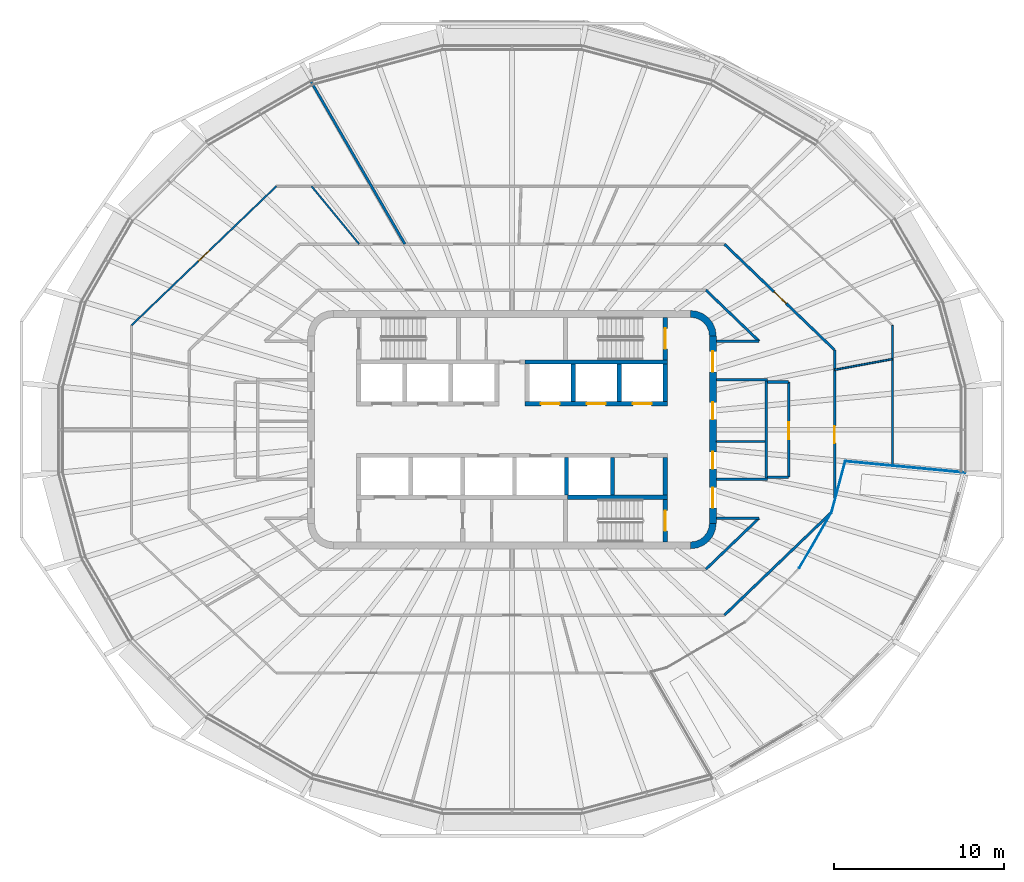
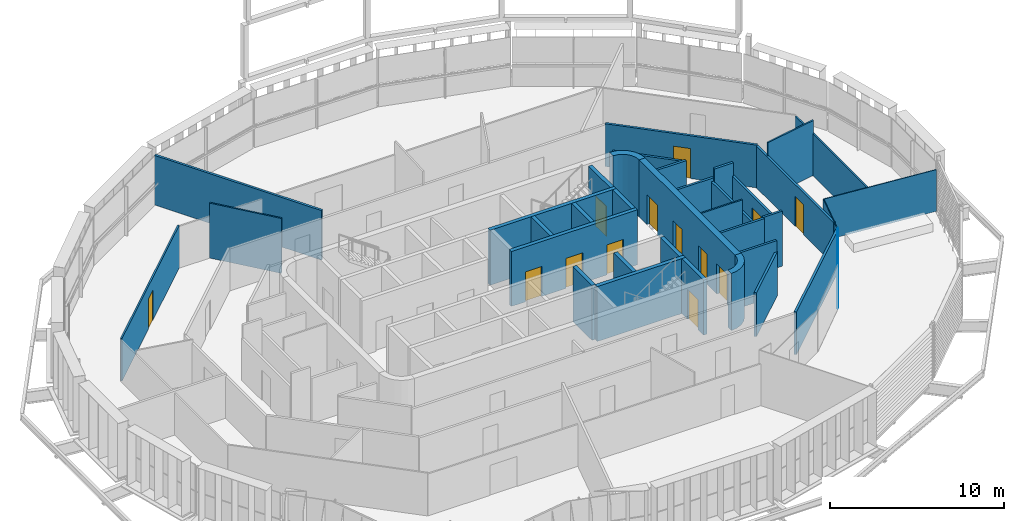
# One storey, part 12 of 21: 36 walls, 13 doors, 13 openings.
"""IFC4 building model written with IfcOpenShell, lengths in metres."""

from ifc_helpers import new_model, si_unit, direction, frame, frame_2d, origin, place, context, subcontext, project, spatial, polyline, rectangle, outline, extrude, material, layer, layer_set, type_object, element, fill, save


model = new_model("IFC4")

# Units and contexts
model_context = context("Model", 3, precision=1e-05, world=origin(), true_north=direction((0.0, 1.0)))
body_context = subcontext(model_context, "Body", "Model", "MODEL_VIEW")
ifc_project = project(units=[si_unit("LENGTHUNIT", "METRE"), si_unit("AREAUNIT", "SQUARE_METRE"), si_unit("VOLUMEUNIT", "CUBIC_METRE"), si_unit("PLANEANGLEUNIT", "RADIAN"), si_unit("MASSUNIT", "GRAM", prefix="KILO")], contexts=[model_context])

# Site, building, storey
site_placement = place(None, origin())
site = spatial("IfcSite", under=ifc_project, at=site_placement, CompositionType="ELEMENT")
building_placement = place(site_placement, origin())
building = spatial("IfcBuilding", under=site, at=building_placement, Name="Sahrelin Media Tower", CompositionType="ELEMENT")
storey_placement = place(building_placement, frame((0.0, 0.0, 304.39990234375)))
storey = spatial("IfcBuildingStorey", under=building, at=storey_placement, Name="L67", CompositionType="ELEMENT", Elevation=304.39990234375)

# Wall, openings, doors
ifc_material_1 = material(Name="Concrete C60/75", Category="concrete")
ifc_layer_1 = layer(ifc_material_1, 0.39990234375)
ifc_layer_set_1 = layer_set([ifc_layer_1], Name="Core wall 400")
wall_type_1 = type_object("IfcWallType", Name="Core wall 400", PredefinedType="SHEAR", material=ifc_layer_set_1)
wall_1_placement = place(storey_placement, frame((11.800048828125, -5.5, 0.0), z_axis=(0.0, 0.0, 1.0), x_axis=(0.0, 1.0, 0.0)))
wall_1 = element("IfcWall", 1, at=wall_1_placement, inside=storey, type_object=wall_type_1, Name="Core wall E L67", PredefinedType="SHEAR", context=body_context, shape_type="SweptSolid", body=[
    extrude(rectangle(XDim=11.0, YDim=0.39990234375, at=frame_2d((5.5, 0.0))), origin(), (0.0, 0.0, 1.0), 4.0),
])
opening_1_placement = place(wall_1_placement, frame((3.199951171875, 0.0, 0.0)))
opening_1 = element("IfcOpeningElement", 2, at=opening_1_placement, cuts=wall_1, Name="Opening L67-D12", PredefinedType="OPENING", context=body_context, shape_type="SweptSolid", body=[
    extrude(rectangle(XDim=1.0, YDim=2.10009765625, at=frame_2d((0.5, 1.050048828125))), frame((0.0, 0.199951171875, 0.0), z_axis=(0.0, -1.0, 0.0), x_axis=(1.0, 0.0, 0.0)), (0.0, 0.0, 1.0), 0.39990234375),
])
opening_2_placement = place(wall_1_placement, frame((6.10009765625, 0.0, 0.0)))
opening_2 = element("IfcOpeningElement", 3, at=opening_2_placement, cuts=wall_1, Name="Opening L67-D13", PredefinedType="OPENING", context=body_context, shape_type="SweptSolid", body=[
    extrude(rectangle(XDim=1.0, YDim=2.10009765625, at=frame_2d((0.5, 1.050048828125))), frame((0.0, 0.199951171875, 0.0), z_axis=(0.0, -1.0, 0.0), x_axis=(1.0, 0.0, 0.0)), (0.0, 0.0, 1.0), 0.39990234375),
])
opening_3_placement = place(wall_1_placement, frame((0.89990234375, 0.0, 0.0)))
opening_3 = element("IfcOpeningElement", 4, at=opening_3_placement, cuts=wall_1, Name="Opening L67-D16", PredefinedType="OPENING", context=body_context, shape_type="SweptSolid", body=[
    extrude(rectangle(XDim=1.199951171875, YDim=2.10009765625, at=frame_2d((0.60009765625, 1.050048828125))), frame((0.0, 0.199951171875, 0.0), z_axis=(0.0, -1.0, 0.0), x_axis=(1.0, 0.0, 0.0)), (0.0, 0.0, 1.0), 0.39990234375),
])
opening_4_placement = place(wall_1_placement, frame((8.89990234375, 0.0, 0.0)))
opening_4 = element("IfcOpeningElement", 5, at=opening_4_placement, cuts=wall_1, Name="Opening L67-D17", PredefinedType="OPENING", context=body_context, shape_type="SweptSolid", body=[
    extrude(rectangle(XDim=1.199951171875, YDim=2.10009765625, at=frame_2d((0.60009765625, 1.050048828125))), frame((0.0, 0.199951171875, 0.0), z_axis=(0.0, -1.0, 0.0), x_axis=(1.0, 0.0, 0.0)), (0.0, 0.0, 1.0), 0.39990234375),
])
ifc_material_2 = material(Name="Steel fire door leaf", Category="steel")
door_type_1 = type_object("IfcDoorType", Name="Fire door 1000 x 2100 EI 60", OperationType="NOTDEFINED", PredefinedType="DOOR", material=ifc_material_2)
door_1_placement = place(opening_1_placement, origin())
door_1 = element("IfcDoor", 6, at=door_1_placement, inside=storey, type_object=door_type_1, Name="Core room door", OperationType="SINGLE_SWING_RIGHT", OverallHeight=2.10009765625, OverallWidth=1.0, PredefinedType="DOOR", context=body_context, shape_type="SweptSolid", body=[
    extrude(rectangle(XDim=1.0, YDim=2.10009765625, at=frame_2d((0.5, 1.050048828125))), frame((0.0, 0.02490234375, 0.0), z_axis=(0.0, -1.0, 0.0), x_axis=(1.0, 0.0, 0.0)), (0.0, 0.0, 1.0), 0.050048828125),
])
fill(opening_1, door_1)
door_2_placement = place(opening_2_placement, origin())
door_2 = element("IfcDoor", 7, at=door_2_placement, inside=storey, type_object=door_type_1, Name="Core room door", OperationType="SINGLE_SWING_RIGHT", OverallHeight=2.10009765625, OverallWidth=1.0, PredefinedType="DOOR", context=body_context, shape_type="SweptSolid", body=[
    extrude(rectangle(XDim=1.0, YDim=2.10009765625, at=frame_2d((0.5, 1.050048828125))), frame((0.0, 0.02490234375, 0.0), z_axis=(0.0, -1.0, 0.0), x_axis=(1.0, 0.0, 0.0)), (0.0, 0.0, 1.0), 0.050048828125),
])
fill(opening_2, door_2)
door_type_2 = type_object("IfcDoorType", Name="Lobby door 1200 x 2100 EI 60", OperationType="NOTDEFINED", PredefinedType="DOOR", material=ifc_material_2)
door_3_placement = place(opening_3_placement, origin())
door_3 = element("IfcDoor", 8, at=door_3_placement, inside=storey, type_object=door_type_2, Name="Lobby door", OperationType="SINGLE_SWING_LEFT", OverallHeight=2.10009765625, OverallWidth=1.199951171875, PredefinedType="DOOR", context=body_context, shape_type="SweptSolid", body=[
    extrude(rectangle(XDim=1.199951171875, YDim=2.10009765625, at=frame_2d((0.60009765625, 1.050048828125))), frame((0.0, 0.02490234375, 0.0), z_axis=(0.0, -1.0, 0.0), x_axis=(1.0, 0.0, 0.0)), (0.0, 0.0, 1.0), 0.050048828125),
])
fill(opening_3, door_3)
door_4_placement = place(opening_4_placement, origin())
door_4 = element("IfcDoor", 9, at=door_4_placement, inside=storey, type_object=door_type_2, Name="Lobby door", OperationType="SINGLE_SWING_LEFT", OverallHeight=2.10009765625, OverallWidth=1.199951171875, PredefinedType="DOOR", context=body_context, shape_type="SweptSolid", body=[
    extrude(rectangle(XDim=1.199951171875, YDim=2.10009765625, at=frame_2d((0.60009765625, 1.050048828125))), frame((0.0, 0.02490234375, 0.0), z_axis=(0.0, -1.0, 0.0), x_axis=(1.0, 0.0, 0.0)), (0.0, 0.0, 1.0), 0.050048828125),
])
fill(opening_4, door_4)

# Walls
placement = place(storey_placement, origin())
element("IfcWall", 10, at=placement, inside=storey, type_object=wall_type_1, Name="Core wall corner NE L67", PredefinedType="SHEAR", context=body_context, shape_type="SweptSolid", body=[
    extrude(outline(polyline([(10.5, 7.0), (10.5, 6.596435546875), (10.78369140625, 6.55908203125), (11.04833984375, 6.44970703125), (11.275390625, 6.275390625), (11.44970703125, 6.04833984375), (11.55908203125, 5.78369140625), (11.596435546875, 5.5), (12.0, 5.5), (11.948974609375, 5.88818359375), (11.799072265625, 6.25), (11.560791015625, 6.560791015625), (11.25, 6.799072265625), (10.88818359375, 6.948974609375), (10.5, 7.0)])), origin(), (0.0, 0.0, 1.0), 4.0),
])
element("IfcWall", 11, at=placement, inside=storey, type_object=wall_type_1, Name="Core wall corner SE L67", PredefinedType="SHEAR", context=body_context, shape_type="SweptSolid", body=[
    extrude(outline(polyline([(12.0, -5.5), (11.596435546875, -5.5), (11.55908203125, -5.78369140625), (11.44970703125, -6.04833984375), (11.275390625, -6.275390625), (11.04833984375, -6.44970703125), (10.78369140625, -6.55908203125), (10.5, -6.596435546875), (10.5, -7.0), (10.88818359375, -6.948974609375), (11.25, -6.799072265625), (11.560791015625, -6.560791015625), (11.799072265625, -6.25), (11.948974609375, -5.88818359375), (12.0, -5.5)])), origin(), (0.0, 0.0, 1.0), 4.0),
])
ifc_material_3 = material(Name="Fire-rated gypsum board partition")
ifc_layer_2 = layer(ifc_material_3, 0.10009765625)
ifc_layer_set_2 = layer_set([ifc_layer_2], Name="Fire-rated partition 100")
wall_type_2 = type_object("IfcWallType", Name="Fire-rated partition 100", PredefinedType="PARTITIONING", material=ifc_layer_set_2)
wall_4_placement = place(storey_placement, frame((12.0, -0.699951171875, 0.0), z_axis=(0.0, 0.0, 1.0), x_axis=(1.0, 0.0, 0.0)))
element("IfcWall", 12, at=wall_4_placement, inside=storey, type_object=wall_type_2, Name="Core room partition", PredefinedType="PARTITIONING", context=body_context, shape_type="SweptSolid", body=[
    extrude(rectangle(XDim=2.85009765625, YDim=0.10009765625, at=frame_2d((1.425048828125, 0.0))), origin(), (0.0, 0.0, 1.0), 3.85009765625),
])
ifc_layer_3 = layer(ifc_material_3, 0.14990234375)
ifc_layer_set_3 = layer_set([ifc_layer_3], Name="Fire-rated partition 150")
wall_type_3 = type_object("IfcWallType", Name="Fire-rated partition 150", PredefinedType="PARTITIONING", material=ifc_layer_set_3)
wall_5_placement = place(storey_placement, frame((14.925048828125, -2.85009765625, 0.0), z_axis=(0.0, 0.0, 1.0), x_axis=(0.0, 1.0, 0.0)))
element("IfcWall", 13, at=wall_5_placement, inside=storey, type_object=wall_type_3, Name="Core room fire partition", PredefinedType="PARTITIONING", context=body_context, shape_type="SweptSolid", body=[
    extrude(rectangle(XDim=5.7001953125, YDim=0.14990234375, at=frame_2d((2.85009765625, 0.0))), origin(), (0.0, 0.0, 1.0), 2.927001953125),
])
wall_6_placement = place(storey_placement, frame((12.0, 2.925048828125, 0.0), z_axis=(0.0, 0.0, 1.0), x_axis=(1.0, 0.0, 0.0)))
element("IfcWall", 14, at=wall_6_placement, inside=storey, type_object=wall_type_3, Name="Core room fire partition", PredefinedType="PARTITIONING", context=body_context, shape_type="SweptSolid", body=[
    extrude(rectangle(XDim=3.0, YDim=0.14990234375, at=frame_2d((1.5, 0.0))), origin(), (0.0, 0.0, 1.0), 3.152099609375),
])
wall_7_placement = place(storey_placement, frame((12.0, -2.925048828125, 0.0), z_axis=(0.0, 0.0, 1.0), x_axis=(1.0, 0.0, 0.0)))
element("IfcWall", 15, at=wall_7_placement, inside=storey, type_object=wall_type_3, Name="Core room fire partition", PredefinedType="PARTITIONING", context=body_context, shape_type="SweptSolid", body=[
    extrude(rectangle(XDim=3.0, YDim=0.14990234375, at=frame_2d((1.5, 0.0))), origin(), (0.0, 0.0, 1.0), 3.85009765625),
])
wall_8_placement = place(storey_placement, frame((-11.823974609375, 20.47998046875, 0.0), z_axis=(0.0, 0.0, 1.0), x_axis=(0.500024263458, -0.866011394817, 0.0)))
element("IfcWall", 16, at=wall_8_placement, inside=storey, type_object=wall_type_3, Name="Wall", PredefinedType="PARTITIONING", context=body_context, shape_type="SweptSolid", body=[
    extrude(rectangle(XDim=11.0634765625, YDim=0.14990234375, at=frame_2d((5.53173828125, 0.0))), origin(), (0.0, 0.0, 1.0), 3.47509765625),
])
wall_9_placement = place(storey_placement, frame((11.39111328125, 8.198974609375, 0.0), z_axis=(0.0, 0.0, 1.0), x_axis=(0.721256597366, -0.692667972954, 0.0)))
element("IfcWall", 17, at=wall_9_placement, inside=storey, type_object=wall_type_3, Name="Wall", PredefinedType="PARTITIONING", context=body_context, shape_type="SweptSolid", body=[
    extrude(rectangle(XDim=4.32958984375, YDim=0.14990234375, at=frame_2d((2.164794921875, 0.0))), origin(), (0.0, 0.0, 1.0), 3.076171875),
])

# Wall, opening, door
wall_10_placement = place(storey_placement, frame((12.47802734375, 10.89892578125, 0.0), z_axis=(0.0, 0.0, 1.0), x_axis=(0.72127259513, -0.692651314526, 0.0)))
wall_10 = element("IfcWall", 18, at=wall_10_placement, inside=storey, type_object=wall_type_3, Name="Wall", PredefinedType="PARTITIONING", context=body_context, shape_type="SweptSolid", body=[
    extrude(rectangle(XDim=8.9736328125, YDim=0.14990234375, at=frame_2d((4.48681640625, 0.0))), origin(), (0.0, 0.0, 1.0), 2.995361328125),
])
opening_5_placement = place(wall_10_placement, frame((4.036376953125, 0.0, 0.0)))
opening_5 = element("IfcOpeningElement", 19, at=opening_5_placement, cuts=wall_10, Name="Opening L67-D39", PredefinedType="OPENING", context=body_context, shape_type="SweptSolid", body=[
    extrude(rectangle(XDim=1.0, YDim=2.10009765625, at=frame_2d((0.5, 1.050048828125))), frame((0.0, 0.074951171875, 0.0), z_axis=(0.0, -1.0, 0.0), x_axis=(1.0, 0.0, 0.0)), (0.0, 0.0, 1.0), 0.14990234375),
])
door_5_placement = place(opening_5_placement, origin())
door_5 = element("IfcDoor", 20, at=door_5_placement, inside=storey, type_object=door_type_1, Name="Fire door", OperationType="SINGLE_SWING_RIGHT", OverallHeight=2.10009765625, OverallWidth=1.0, PredefinedType="DOOR", context=body_context, shape_type="SweptSolid", body=[
    extrude(rectangle(XDim=1.0, YDim=2.10009765625, at=frame_2d((0.5, 1.050048828125))), frame((0.0, 0.02490234375, 0.0), z_axis=(0.0, -1.0, 0.0), x_axis=(1.0, 0.0, 0.0)), (0.0, 0.0, 1.0), 0.050048828125),
])
fill(opening_5, door_5)

# Walls
wall_11_placement = place(storey_placement, frame((12.0, -5.199951171875, 0.0), z_axis=(0.0, 0.0, 1.0), x_axis=(1.0, 0.0, 0.0)))
element("IfcWall", 21, at=wall_11_placement, inside=storey, type_object=wall_type_3, Name="Wall", PredefinedType="PARTITIONING", context=body_context, shape_type="SweptSolid", body=[
    extrude(rectangle(XDim=2.513916015625, YDim=0.14990234375, at=frame_2d((1.2568359375, 0.0))), origin(), (0.0, 0.0, 1.0), 3.85009765625),
])
for number, where, z_axis, x_axis, name in (
    (22, (15.0, -2.800048828125, 0.0), (0.0, 0.0, 1.0), (1.0, 0.0, 0.0), "Wall"),
    (23, (15.0, 2.800048828125, 0.0), (0.0, 0.0, 1.0), (1.0, 0.0, 0.0), "Wall"),
):
    element("IfcWall", number, at=place(storey_placement, frame(where, z_axis=z_axis, x_axis=x_axis)), inside=storey, type_object=wall_type_3, Name=name, PredefinedType="PARTITIONING", context=body_context, shape_type="SweptSolid", body=[
        extrude(rectangle(XDim=1.25, YDim=0.14990234375, at=frame_2d((0.625, 0.0))), origin(), (0.0, 0.0, 1.0), 3.85009765625),
    ])
wall_12_placement = place(storey_placement, frame((12.0, 5.199951171875, 0.0), z_axis=(0.0, 0.0, 1.0), x_axis=(1.0, 0.0, 0.0)))
element("IfcWall", 24, at=wall_12_placement, inside=storey, type_object=wall_type_3, Name="Wall", PredefinedType="PARTITIONING", context=body_context, shape_type="SweptSolid", body=[
    extrude(rectangle(XDim=2.513916015625, YDim=0.14990234375, at=frame_2d((1.2568359375, 0.0))), origin(), (0.0, 0.0, 1.0), 3.152099609375),
])
wall_13_placement = place(storey_placement, frame((12.47802734375, -10.89892578125, 0.0), z_axis=(0.0, 0.0, 1.0), x_axis=(0.721258165391, 0.692666340208, 0.0)))
element("IfcWall", 25, at=wall_13_placement, inside=storey, type_object=wall_type_3, Name="Wall", PredefinedType="PARTITIONING", context=body_context, shape_type="SweptSolid", body=[
    extrude(rectangle(XDim=8.7265625, YDim=0.14990234375, at=frame_2d((4.36328125, 0.0))), origin(), (0.0, 0.0, 1.0), 2.995361328125),
])
wall_14_placement = place(storey_placement, frame((11.39111328125, -8.198974609375, 0.0), z_axis=(0.0, 0.0, 1.0), x_axis=(0.721256597366, 0.692667972954, 0.0)))
element("IfcWall", 26, at=wall_14_placement, inside=storey, type_object=wall_type_3, Name="Wall", PredefinedType="PARTITIONING", context=body_context, shape_type="SweptSolid", body=[
    extrude(rectangle(XDim=4.32958984375, YDim=0.14990234375, at=frame_2d((2.164794921875, 0.0))), origin(), (0.0, 0.0, 1.0), 3.076171875),
])

# Wall, opening, door
wall_15_placement = place(storey_placement, frame((18.949951171875, -4.195068359375, 0.0), z_axis=(0.0, 0.0, 1.0), x_axis=(0.0, 1.0, 0.0)))
wall_15 = element("IfcWall", 27, at=wall_15_placement, inside=storey, type_object=wall_type_3, Name="Wall", PredefinedType="PARTITIONING", context=body_context, shape_type="SweptSolid", body=[
    extrude(rectangle(XDim=8.878173828125, YDim=0.14990234375, at=frame_2d((4.43896484375, 0.0))), origin(), (0.0, 0.0, 1.0), 2.927001953125),
])
opening_6_placement = place(wall_15_placement, frame((3.405517578125, 0.0, 0.0)))
opening_6 = element("IfcOpeningElement", 28, at=opening_6_placement, cuts=wall_15, Name="Opening L67-D38", PredefinedType="OPENING", context=body_context, shape_type="SweptSolid", body=[
    extrude(rectangle(XDim=1.0, YDim=2.10009765625, at=frame_2d((0.5, 1.050048828125))), frame((0.0, 0.074951171875, 0.0), z_axis=(0.0, -1.0, 0.0), x_axis=(1.0, 0.0, 0.0)), (0.0, 0.0, 1.0), 0.14990234375),
])
door_6_placement = place(opening_6_placement, origin())
door_6 = element("IfcDoor", 29, at=door_6_placement, inside=storey, type_object=door_type_1, Name="Fire door", OperationType="SINGLE_SWING_LEFT", OverallHeight=2.10009765625, OverallWidth=1.0, PredefinedType="DOOR", context=body_context, shape_type="SweptSolid", body=[
    extrude(rectangle(XDim=1.0, YDim=2.10009765625, at=frame_2d((0.5, 1.050048828125))), frame((0.0, 0.02490234375, 0.0), z_axis=(0.0, -1.0, 0.0), x_axis=(1.0, 0.0, 0.0)), (0.0, 0.0, 1.0), 0.050048828125),
])
fill(opening_6, door_6)

wall_16_placement = place(storey_placement, frame((16.25, -2.7900390625, 0.0), z_axis=(0.0, 0.0, 1.0), x_axis=(0.0, 1.0, 0.0)))
wall_16 = element("IfcWall", 30, at=wall_16_placement, inside=storey, type_object=wall_type_3, Name="Wall", PredefinedType="PARTITIONING", context=body_context, shape_type="SweptSolid", body=[
    extrude(rectangle(XDim=5.580078125, YDim=0.14990234375, at=frame_2d((2.7900390625, 0.0))), origin(), (0.0, 0.0, 1.0), 2.927001953125),
])
opening_7_placement = place(wall_16_placement, frame((2.23876953125, 0.0, 0.0)))
opening_7 = element("IfcOpeningElement", 31, at=opening_7_placement, cuts=wall_16, Name="Opening L67-D20", PredefinedType="OPENING", context=body_context, shape_type="SweptSolid", body=[
    extrude(rectangle(XDim=1.0, YDim=2.10009765625, at=frame_2d((0.5, 1.050048828125))), frame((0.0, 0.074951171875, 0.0), z_axis=(0.0, -1.0, 0.0), x_axis=(1.0, 0.0, 0.0)), (0.0, 0.0, 1.0), 0.14990234375),
])
door_7_placement = place(opening_7_placement, origin())
door_7 = element("IfcDoor", 32, at=door_7_placement, inside=storey, type_object=door_type_1, Name="Fire door", OperationType="SINGLE_SWING_RIGHT", OverallHeight=2.10009765625, OverallWidth=1.0, PredefinedType="DOOR", context=body_context, shape_type="SweptSolid", body=[
    extrude(rectangle(XDim=1.0, YDim=2.10009765625, at=frame_2d((0.5, 1.050048828125))), frame((0.0, 0.02490234375, 0.0), z_axis=(0.0, -1.0, 0.0), x_axis=(1.0, 0.0, 0.0)), (0.0, 0.0, 1.0), 0.050048828125),
])
fill(opening_7, door_7)

# Walls
ifc_material_4 = material(Name="Clear glass", Category="glass")
ifc_layer_4 = layer(ifc_material_4, 0.050048828125)
ifc_layer_set_4 = layer_set([ifc_layer_4], Name="Glazed partition 50")
wall_type_4 = type_object("IfcWallType", Name="Glazed partition 50", PredefinedType="PARTITIONING", material=ifc_layer_set_4)
wall_17_placement = place(storey_placement, frame((19.575927734375, -1.85693359375, 0.0), z_axis=(0.0, 0.0, 1.0), x_axis=(0.995535104036, -0.09439203691, 0.0)))
element("IfcWall", 33, at=wall_17_placement, inside=storey, type_object=wall_type_4, Name="Wall", PredefinedType="PARTITIONING", context=body_context, shape_type="SweptSolid", body=[
    extrude(rectangle(XDim=7.099853515625, YDim=0.050048828125, at=frame_2d((3.5498046875, 0.0))), origin(), (0.0, 0.0, 1.0), 2.927001953125),
])
wall_18_placement = place(storey_placement, frame((16.876953125, -8.135986328125, 0.0), z_axis=(0.0, 0.0, 1.0), x_axis=(0.500054674034, 0.865993835415, 0.0)))
element("IfcWall", 34, at=wall_18_placement, inside=storey, type_object=wall_type_4, Name="Wall", PredefinedType="PARTITIONING", context=body_context, shape_type="SweptSolid", body=[
    extrude(rectangle(XDim=3.79541015625, YDim=0.050048828125, at=frame_2d((1.897705078125, 0.0))), origin(), (0.0, 0.0, 1.0), 2.995361328125),
])
wall_19_placement = place(storey_placement, frame((18.77490234375, -4.84912109375, 0.0), z_axis=(0.0, 0.0, 1.0), x_axis=(0.258525957933, 0.966004311106, 0.0)))
element("IfcWall", 35, at=wall_19_placement, inside=storey, type_object=wall_type_4, Name="Wall", PredefinedType="PARTITIONING", context=body_context, shape_type="SweptSolid", body=[
    extrude(rectangle(XDim=3.097412109375, YDim=0.050048828125, at=frame_2d((1.548828125, 0.0))), origin(), (0.0, 0.0, 1.0), 2.927001953125),
])

# Wall, openings, doors
ifc_layer_5 = layer(ifc_material_1, 0.25)
ifc_layer_set_5 = layer_set([ifc_layer_5], Name="Lift shaft wall 250")
wall_type_5 = type_object("IfcWallType", Name="Lift shaft wall 250", PredefinedType="SOLIDWALL", material=ifc_layer_set_5)
wall_20_placement = place(storey_placement, frame((0.77490234375, 1.52490234375, 0.0), z_axis=(0.0, 0.0, 1.0), x_axis=(1.0, 0.0, 0.0)))
wall_20 = element("IfcWall", 36, at=wall_20_placement, inside=storey, type_object=wall_type_5, Name="Lift shaft wall", PredefinedType="SOLIDWALL", context=body_context, shape_type="SweptSolid", body=[
    extrude(rectangle(XDim=8.35009765625, YDim=0.25, at=frame_2d((4.175048828125, 0.0))), origin(), (0.0, 0.0, 1.0), 3.85009765625),
])
opening_8_placement = place(wall_20_placement, frame((0.925048828125, 0.0, 0.0)))
opening_8 = element("IfcOpeningElement", 37, at=opening_8_placement, cuts=wall_20, Name="Opening L67-LD-HR4", PredefinedType="OPENING", context=body_context, shape_type="SweptSolid", body=[
    extrude(rectangle(XDim=1.10009765625, YDim=2.10009765625, at=frame_2d((0.550048828125, 1.050048828125))), frame((0.0, 0.125, 0.0), z_axis=(0.0, -1.0, 0.0), x_axis=(1.0, 0.0, 0.0)), (0.0, 0.0, 1.0), 0.25),
])
opening_9_placement = place(wall_20_placement, frame((3.625, 0.0, 0.0)))
opening_9 = element("IfcOpeningElement", 38, at=opening_9_placement, cuts=wall_20, Name="Opening L67-LD-HR5", PredefinedType="OPENING", context=body_context, shape_type="SweptSolid", body=[
    extrude(rectangle(XDim=1.10009765625, YDim=2.10009765625, at=frame_2d((0.550048828125, 1.050048828125))), frame((0.0, 0.125, 0.0), z_axis=(0.0, -1.0, 0.0), x_axis=(1.0, 0.0, 0.0)), (0.0, 0.0, 1.0), 0.25),
])
opening_10_placement = place(wall_20_placement, frame((6.324951171875, 0.0, 0.0)))
opening_10 = element("IfcOpeningElement", 39, at=opening_10_placement, cuts=wall_20, Name="Opening L67-LD-HR6", PredefinedType="OPENING", context=body_context, shape_type="SweptSolid", body=[
    extrude(rectangle(XDim=1.10009765625, YDim=2.10009765625, at=frame_2d((0.550048828125, 1.050048828125))), frame((0.0, 0.125, 0.0), z_axis=(0.0, -1.0, 0.0), x_axis=(1.0, 0.0, 0.0)), (0.0, 0.0, 1.0), 0.25),
])
ifc_material_5 = material(Name="Stainless steel", Category="steel")
door_type_3 = type_object("IfcDoorType", Name="Lift landing door 1100 x 2100 EI 120", OperationType="DOUBLE_DOOR_SLIDING", PredefinedType="DOOR", material=ifc_material_5)
door_8_placement = place(opening_8_placement, origin())
door_8 = element("IfcDoor", 40, at=door_8_placement, inside=storey, type_object=door_type_3, Name="Lift landing door HR4", OperationType="DOUBLE_DOOR_SLIDING", OverallHeight=2.10009765625, OverallWidth=1.10009765625, PredefinedType="DOOR", context=body_context, shape_type="SweptSolid", body=[
    extrude(rectangle(XDim=1.10009765625, YDim=2.10009765625, at=frame_2d((0.550048828125, 1.050048828125))), frame((0.0, 0.02490234375, 0.0), z_axis=(0.0, -1.0, 0.0), x_axis=(1.0, 0.0, 0.0)), (0.0, 0.0, 1.0), 0.050048828125),
])
fill(opening_8, door_8)
door_9_placement = place(opening_9_placement, origin())
door_9 = element("IfcDoor", 41, at=door_9_placement, inside=storey, type_object=door_type_3, Name="Lift landing door HR5", OperationType="DOUBLE_DOOR_SLIDING", OverallHeight=2.10009765625, OverallWidth=1.10009765625, PredefinedType="DOOR", context=body_context, shape_type="SweptSolid", body=[
    extrude(rectangle(XDim=1.10009765625, YDim=2.10009765625, at=frame_2d((0.550048828125, 1.050048828125))), frame((0.0, 0.02490234375, 0.0), z_axis=(0.0, -1.0, 0.0), x_axis=(1.0, 0.0, 0.0)), (0.0, 0.0, 1.0), 0.050048828125),
])
fill(opening_9, door_9)
door_10_placement = place(opening_10_placement, origin())
door_10 = element("IfcDoor", 42, at=door_10_placement, inside=storey, type_object=door_type_3, Name="Lift landing door HR6", OperationType="DOUBLE_DOOR_SLIDING", OverallHeight=2.10009765625, OverallWidth=1.10009765625, PredefinedType="DOOR", context=body_context, shape_type="SweptSolid", body=[
    extrude(rectangle(XDim=1.10009765625, YDim=2.10009765625, at=frame_2d((0.550048828125, 1.050048828125))), frame((0.0, 0.02490234375, 0.0), z_axis=(0.0, -1.0, 0.0), x_axis=(1.0, 0.0, 0.0)), (0.0, 0.0, 1.0), 0.050048828125),
])
fill(opening_10, door_10)

# Walls
wall_21_placement = place(storey_placement, frame((0.77490234375, 3.97509765625, 0.0), z_axis=(0.0, 0.0, 1.0), x_axis=(1.0, 0.0, 0.0)))
element("IfcWall", 43, at=wall_21_placement, inside=storey, type_object=wall_type_5, Name="Lift shaft wall", PredefinedType="SOLIDWALL", context=body_context, shape_type="SweptSolid", body=[
    extrude(rectangle(XDim=8.35009765625, YDim=0.25, at=frame_2d((4.175048828125, 0.0))), origin(), (0.0, 0.0, 1.0), 3.85009765625),
])
for number, where, z_axis, x_axis, name in (
    (44, (9.0, 1.64990234375, 0.0), (0.0, 0.0, 1.0), (0.0, 1.0, 0.0), "Lift shaft wall"),
    (45, (6.300048828125, 1.64990234375, 0.0), (0.0, 0.0, 1.0), (0.0, 1.0, 0.0), "Lift shaft wall"),
    (46, (3.60009765625, 1.64990234375, 0.0), (0.0, 0.0, 1.0), (0.0, 1.0, 0.0), "Lift shaft wall"),
):
    element("IfcWall", number, at=place(storey_placement, frame(where, z_axis=z_axis, x_axis=x_axis)), inside=storey, type_object=wall_type_5, Name=name, PredefinedType="SOLIDWALL", context=body_context, shape_type="SweptSolid", body=[
        extrude(rectangle(XDim=2.2001953125, YDim=0.25, at=frame_2d((1.10009765625, 0.0))), origin(), (0.0, 0.0, 1.0), 3.85009765625),
    ])
wall_22_placement = place(storey_placement, frame((3.27490234375, -3.97509765625, 0.0), z_axis=(0.0, 0.0, 1.0), x_axis=(1.0, 0.0, 0.0)))
element("IfcWall", 47, at=wall_22_placement, inside=storey, type_object=wall_type_5, Name="Lift shaft wall", PredefinedType="SOLIDWALL", context=body_context, shape_type="SweptSolid", body=[
    extrude(rectangle(XDim=5.85009765625, YDim=0.25, at=frame_2d((2.925048828125, 0.0))), origin(), (0.0, 0.0, 1.0), 3.85009765625),
])
for number, where, z_axis, x_axis, name in (
    (48, (3.199951171875, -3.85009765625, 0.0), (0.0, 0.0, 1.0), (0.0, 1.0, 0.0), "Lift shaft wall"),
    (49, (5.89990234375, -3.85009765625, 0.0), (0.0, 0.0, 1.0), (0.0, 1.0, 0.0), "Lift shaft wall"),
    (50, (9.0, -3.85009765625, 0.0), (0.0, 0.0, 1.0), (0.0, 1.0, 0.0), "Lift shaft wall"),
):
    element("IfcWall", number, at=place(storey_placement, frame(where, z_axis=z_axis, x_axis=x_axis)), inside=storey, type_object=wall_type_5, Name=name, PredefinedType="SOLIDWALL", context=body_context, shape_type="SweptSolid", body=[
        extrude(rectangle(XDim=2.2001953125, YDim=0.25, at=frame_2d((1.10009765625, 0.0))), origin(), (0.0, 0.0, 1.0), 3.85009765625),
    ])
ifc_material_6 = material(Name="Gypsum board partition")
ifc_layer_6 = layer(ifc_material_6, 0.10009765625)
ifc_layer_set_6 = layer_set([ifc_layer_6], Name="Partition 100")
wall_type_6 = type_object("IfcWallType", Name="Partition 100", PredefinedType="PARTITIONING", material=ifc_layer_set_6)
wall_23_placement = place(storey_placement, frame((-11.77587890625, 14.299072265625, 0.0), z_axis=(0.0, 0.0, 1.0), x_axis=(0.63566450838, -0.771965434968, 0.0)))
element("IfcWall", 51, at=wall_23_placement, inside=storey, type_object=wall_type_6, Name="Wall", PredefinedType="PARTITIONING", context=body_context, shape_type="SweptSolid", body=[
    extrude(rectangle(XDim=4.404541015625, YDim=0.10009765625, at=frame_2d((2.2021484375, 0.0))), origin(), (0.0, 0.0, 1.0), 3.85009765625),
])
wall_24_placement = place(storey_placement, frame((18.949951171875, 3.51611328125, 0.0), z_axis=(0.0, 0.0, 1.0), x_axis=(0.983219682599, 0.182425479991, 0.0)))
element("IfcWall", 52, at=wall_24_placement, inside=storey, type_object=wall_type_6, Name="Wall", PredefinedType="PARTITIONING", context=body_context, shape_type="SweptSolid", body=[
    extrude(rectangle(XDim=3.458251953125, YDim=0.10009765625, at=frame_2d((1.72900390625, 0.0))), origin(), (0.0, 0.0, 1.0), 3.85009765625),
])

# Wall, opening, door
wall_25_placement = place(storey_placement, frame((-22.35009765625, 6.132080078125, 0.0), z_axis=(0.0, 0.0, 1.0), x_axis=(0.721259864686, 0.692664570765, 0.0)))
wall_25 = element("IfcWall", 53, at=wall_25_placement, inside=storey, type_object=wall_type_6, Name="Wall", PredefinedType="PARTITIONING", context=body_context, shape_type="SweptSolid", body=[
    extrude(rectangle(XDim=11.790771484375, YDim=0.10009765625, at=frame_2d((5.8955078125, 0.0))), origin(), (0.0, 0.0, 1.0), 2.995361328125),
])
opening_11_placement = place(wall_25_placement, frame((5.4453125, 0.0, 0.0)))
opening_11 = element("IfcOpeningElement", 54, at=opening_11_placement, cuts=wall_25, Name="Opening L67-D31", PredefinedType="OPENING", context=body_context, shape_type="SweptSolid", body=[
    extrude(rectangle(XDim=0.89990234375, YDim=2.10009765625, at=frame_2d((0.449951171875, 1.050048828125))), frame((0.0, 0.050048828125, 0.0), z_axis=(0.0, -1.0, 0.0), x_axis=(1.0, 0.0, 0.0)), (0.0, 0.0, 1.0), 0.10009765625),
])
ifc_material_7 = material(Name="Timber door leaf", Category="wood")
door_type_4 = type_object("IfcDoorType", Name="Single door 900 x 2100", OperationType="NOTDEFINED", PredefinedType="DOOR", material=ifc_material_7)
door_11_placement = place(opening_11_placement, origin())
door_11 = element("IfcDoor", 55, at=door_11_placement, inside=storey, type_object=door_type_4, Name="Single door", OperationType="SINGLE_SWING_RIGHT", OverallHeight=2.10009765625, OverallWidth=0.89990234375, PredefinedType="DOOR", context=body_context, shape_type="SweptSolid", body=[
    extrude(rectangle(XDim=0.89990234375, YDim=2.10009765625, at=frame_2d((0.449951171875, 1.050048828125))), frame((0.0, 0.02490234375, 0.0), z_axis=(0.0, -1.0, 0.0), x_axis=(1.0, 0.0, 0.0)), (0.0, 0.0, 1.0), 0.050048828125),
])
fill(opening_11, door_11)

# Wall
wall_26_placement = place(storey_placement, frame((22.35009765625, -2.1201171875, 0.0), z_axis=(0.0, 0.0, 1.0), x_axis=(0.0, 1.0, 0.0)))
element("IfcWall", 56, at=wall_26_placement, inside=storey, type_object=wall_type_6, Name="Wall", PredefinedType="PARTITIONING", context=body_context, shape_type="SweptSolid", body=[
    extrude(rectangle(XDim=8.252197265625, YDim=0.10009765625, at=frame_2d((4.1259765625, 0.0))), origin(), (0.0, 0.0, 1.0), 2.927001953125),
])

# Wall, opening, door
ifc_layer_7 = layer(ifc_material_1, 0.25)
ifc_layer_set_7 = layer_set([ifc_layer_7], Name="Stair enclosure wall 250")
wall_type_7 = type_object("IfcWallType", Name="Stair enclosure wall 250", PredefinedType="SOLIDWALL", material=ifc_layer_set_7)
wall_27_placement = place(storey_placement, frame((9.0, 4.10009765625, 0.0), z_axis=(0.0, 0.0, 1.0), x_axis=(0.0, 1.0, 0.0)))
wall_27 = element("IfcWall", 57, at=wall_27_placement, inside=storey, type_object=wall_type_7, Name="Stair enclosure wall", PredefinedType="SOLIDWALL", context=body_context, shape_type="SweptSolid", body=[
    extrude(rectangle(XDim=2.5, YDim=0.25, at=frame_2d((1.25, 0.0))), origin(), (0.0, 0.0, 1.0), 3.85009765625),
])
opening_12_placement = place(wall_27_placement, frame((0.64990234375, 0.0, 0.0)))
opening_12 = element("IfcOpeningElement", 58, at=opening_12_placement, cuts=wall_27, Name="Opening L67-D02", PredefinedType="OPENING", context=body_context, shape_type="SweptSolid", body=[
    extrude(rectangle(XDim=1.199951171875, YDim=2.10009765625, at=frame_2d((0.60009765625, 1.050048828125))), frame((0.0, 0.125, 0.0), z_axis=(0.0, -1.0, 0.0), x_axis=(1.0, 0.0, 0.0)), (0.0, 0.0, 1.0), 0.25),
])
door_type_5 = type_object("IfcDoorType", Name="Stair door 1200 x 2100 EI 120", OperationType="NOTDEFINED", PredefinedType="DOOR", material=ifc_material_2)
door_12_placement = place(opening_12_placement, origin())
door_12 = element("IfcDoor", 59, at=door_12_placement, inside=storey, type_object=door_type_5, Name="Stair door ST3", OperationType="SINGLE_SWING_LEFT", OverallHeight=2.10009765625, OverallWidth=1.199951171875, PredefinedType="DOOR", context=body_context, shape_type="SweptSolid", body=[
    extrude(rectangle(XDim=1.199951171875, YDim=2.10009765625, at=frame_2d((0.60009765625, 1.050048828125))), frame((0.0, 0.02490234375, 0.0), z_axis=(0.0, -1.0, 0.0), x_axis=(1.0, 0.0, 0.0)), (0.0, 0.0, 1.0), 0.050048828125),
])
fill(opening_12, door_12)

wall_28_placement = place(storey_placement, frame((9.0, -6.60009765625, 0.0), z_axis=(0.0, 0.0, 1.0), x_axis=(0.0, 1.0, 0.0)))
wall_28 = element("IfcWall", 60, at=wall_28_placement, inside=storey, type_object=wall_type_7, Name="Stair enclosure wall", PredefinedType="SOLIDWALL", context=body_context, shape_type="SweptSolid", body=[
    extrude(rectangle(XDim=2.5, YDim=0.25, at=frame_2d((1.25, 0.0))), origin(), (0.0, 0.0, 1.0), 3.85009765625),
])
opening_13_placement = place(wall_28_placement, frame((0.64990234375, 0.0, 0.0)))
opening_13 = element("IfcOpeningElement", 61, at=opening_13_placement, cuts=wall_28, Name="Opening L67-D03", PredefinedType="OPENING", context=body_context, shape_type="SweptSolid", body=[
    extrude(rectangle(XDim=1.199951171875, YDim=2.10009765625, at=frame_2d((0.60009765625, 1.050048828125))), frame((0.0, 0.125, 0.0), z_axis=(0.0, -1.0, 0.0), x_axis=(1.0, 0.0, 0.0)), (0.0, 0.0, 1.0), 0.25),
])
door_13_placement = place(opening_13_placement, origin())
door_13 = element("IfcDoor", 62, at=door_13_placement, inside=storey, type_object=door_type_5, Name="Stair door ST2", OperationType="SINGLE_SWING_LEFT", OverallHeight=2.10009765625, OverallWidth=1.199951171875, PredefinedType="DOOR", context=body_context, shape_type="SweptSolid", body=[
    extrude(rectangle(XDim=1.199951171875, YDim=2.10009765625, at=frame_2d((0.60009765625, 1.050048828125))), frame((0.0, 0.02490234375, 0.0), z_axis=(0.0, -1.0, 0.0), x_axis=(1.0, 0.0, 0.0)), (0.0, 0.0, 1.0), 0.050048828125),
])
fill(opening_13, door_13)

save(model, "model.ifc")
